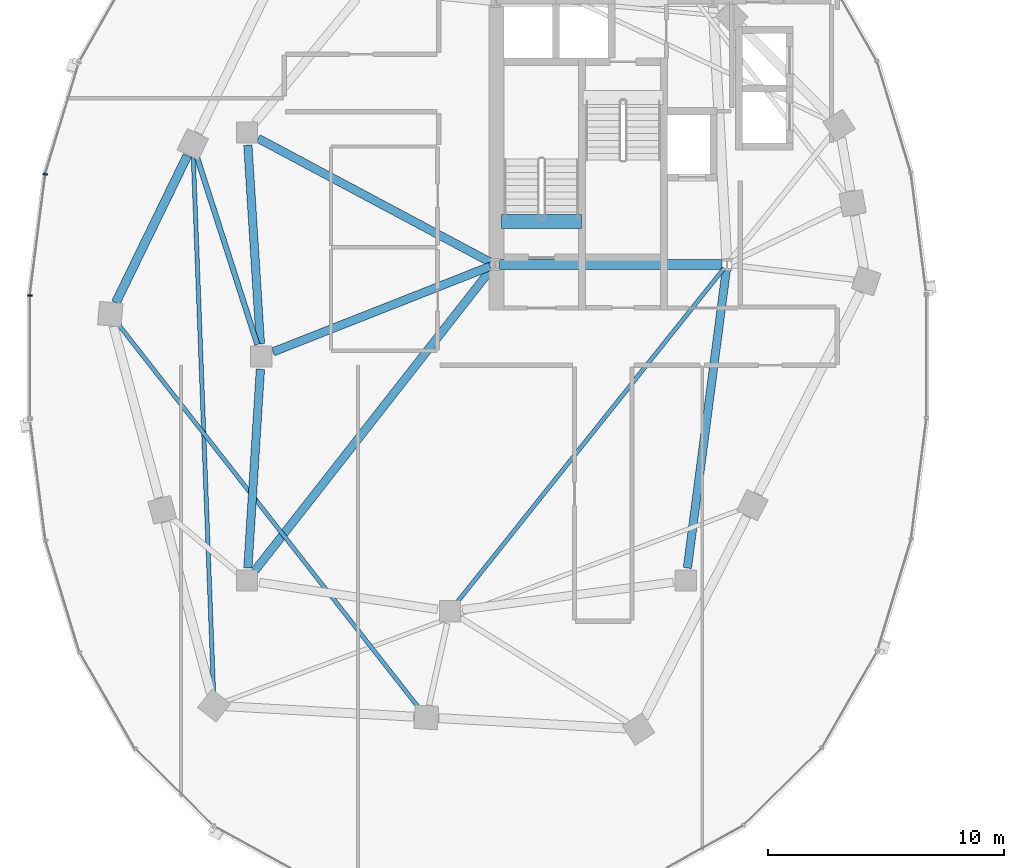
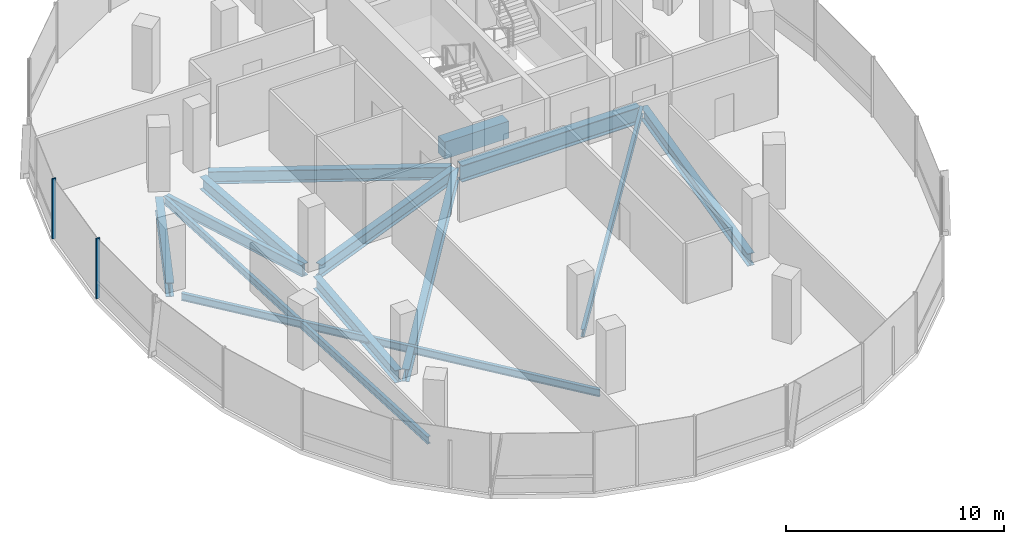
# One storey, part 3 of 22: 13 beams, 2 members, 1 element without a shape of its own.
"""IFC4 building model written with IfcOpenShell, lengths in metres."""

from ifc_helpers import new_model, si_unit, direction, frame, origin, origin_2d, place, context, subcontext, project, spatial, rectangle, i_section, extrude, material, material_profile, profile_set, type_object, element, aggregate, save


model = new_model("IFC4")

# Units and contexts
model_context = context("Model", 3, precision=1e-05, world=origin(), true_north=direction((0.0, 1.0)))
body_context = subcontext(model_context, "Body", "Model", "MODEL_VIEW")
ifc_project = project(units=[si_unit("LENGTHUNIT", "METRE"), si_unit("AREAUNIT", "SQUARE_METRE"), si_unit("VOLUMEUNIT", "CUBIC_METRE"), si_unit("PLANEANGLEUNIT", "RADIAN"), si_unit("MASSUNIT", "GRAM", prefix="KILO"), si_unit("THERMODYNAMICTEMPERATUREUNIT", "KELVIN"), si_unit("POWERUNIT", "WATT")], contexts=[model_context])

# Site, building, storey
site_placement = place(None, origin())
site = spatial("IfcSite", under=ifc_project, at=site_placement, CompositionType="ELEMENT")
building_placement = place(site_placement, origin())
building = spatial("IfcBuilding", under=site, at=building_placement, Name="Cundina Bronze Exchange", CompositionType="ELEMENT")
storey_placement = place(building_placement, frame((0.0, 0.0, 136.800048828125)))
storey = spatial("IfcBuildingStorey", under=building, at=storey_placement, Name="L35", CompositionType="ELEMENT", Elevation=136.800048828125)

# Beams
ifc_material_1 = material(Name="Concrete C60/75", Category="concrete")
ifc_material_profile_1 = material_profile(ifc_material_1, rectangle(XDim=0.60009765625, YDim=0.949951171875, at=origin_2d()), Name="RC600X950", Category="concrete")
ifc_profile_set_1 = profile_set([ifc_material_profile_1], Name="Concrete C60/75")
beam_type_1 = type_object("IfcBeamType", Name="BM-COUP-RC950", PredefinedType="LINTEL", material=ifc_profile_set_1)
beam_1_placement = place(storey_placement, frame((-31.02001953125, 5.719970703125, -0.47509765625), z_axis=(1.0, 0.0, 0.0), x_axis=(0.0, 1.0, 0.0)))
element("IfcBeam", 1, at=beam_1_placement, inside=storey, type_object=beam_type_1, Name="L35 Stair W1 Landing Header Beam", PredefinedType="LINTEL", context=body_context, shape_type="SweptSolid", body=[
    extrude(rectangle(XDim=0.60009765625, YDim=0.949951171875, at=origin_2d()), origin(), (0.0, 0.0, 1.0), 3.39990234375),
])
ifc_material_2 = material(Name="Steel ASTM A992 Grade 50", Category="steel")
ifc_material_profile_2 = material_profile(ifc_material_2, i_section(OverallWidth=0.22998046875, OverallDepth=0.616943359375, WebThickness=0.01318359375, FlangeThickness=0.022216796875, FilletRadius=0.013916015625, at=origin_2d()), Name="W24X94", Category="steel")
ifc_profile_set_2 = profile_set([ifc_material_profile_2], Name="Steel ASTM A992 Grade 50")
beam_type_2 = type_object("IfcBeamType", Name="BM-FLR-W24B", PredefinedType="BEAM", material=ifc_profile_set_2)
beam_2_placement = place(storey_placement, frame((-41.364990234375, 0.51220703125, -0.548583984375), z_axis=(-0.306710777581, 0.951802762612, 0.0), x_axis=(-0.951802762612, -0.306710777581, 0.0)))
element("IfcBeam", 2, at=beam_2_placement, inside=storey, type_object=beam_type_2, Name="L35 Leg W Radial Floor Beam 07", PredefinedType="BEAM", context=body_context, shape_type="SweptSolid", body=[
    extrude(i_section(OverallWidth=0.22998046875, OverallDepth=0.616943359375, WebThickness=0.01318359375, FlangeThickness=0.022216796875, FilletRadius=0.013916015625, at=origin_2d()), origin(), (0.0, 0.0, 1.0), 8.37939453125),
])
ifc_material_profile_3 = material_profile(ifc_material_2, i_section(OverallWidth=0.178955078125, OverallDepth=0.409912109375, WebThickness=0.0087890625, FlangeThickness=0.014404296875, FilletRadius=0.010986328125, at=origin_2d()), Name="W16X45", Category="steel")
ifc_profile_set_3 = profile_set([ifc_material_profile_3], Name="Steel ASTM A992 Grade 50")
beam_type_3 = type_object("IfcBeamType", Name="BM-JST-W16", PredefinedType="JOIST", material=ifc_profile_set_3)
beam_3_placement = place(storey_placement, frame((-21.577392578125, 3.740478515625, -0.445068359375), z_axis=(-0.62436887964, -0.781129632095, 0.0), x_axis=(0.781129632095, -0.62436887964, 0.0)))
element("IfcBeam", 3, at=beam_3_placement, inside=storey, type_object=beam_type_3, Name="L35 W Interior Core-to-Ring Joist 2", PredefinedType="JOIST", context=body_context, shape_type="SweptSolid", body=[
    extrude(i_section(OverallWidth=0.178955078125, OverallDepth=0.409912109375, WebThickness=0.0087890625, FlangeThickness=0.014404296875, FilletRadius=0.010986328125, at=origin_2d()), origin(), (0.0, 0.0, 1.0), 18.076904296875),
])
beam_4_placement = place(storey_placement, frame((-44.07958984375, 8.46240234375, -0.445068359375), z_axis=(0.03778951385, -0.999285721224, 0.0), x_axis=(0.999285721224, 0.03778951385, 0.0)))
element("IfcBeam", 4, at=beam_4_placement, inside=storey, type_object=beam_type_3, Name="L35 Leg W Lobe Floor Joist 07-10", PredefinedType="JOIST", context=body_context, shape_type="SweptSolid", body=[
    extrude(i_section(OverallWidth=0.178955078125, OverallDepth=0.409912109375, WebThickness=0.0087890625, FlangeThickness=0.014404296875, FilletRadius=0.010986328125, at=origin_2d()), origin(), (0.0, 0.0, 1.0), 22.7412109375),
])
beam_5_placement = place(storey_placement, frame((-47.268310546875, 1.37646484375, -0.445068359375), z_axis=(0.616815348306, -0.787107887201, 0.0), x_axis=(0.787107887201, 0.616815348306, 0.0)))
element("IfcBeam", 5, at=beam_5_placement, inside=storey, type_object=beam_type_3, Name="L35 Leg W Lobe Floor Joist 08-11", PredefinedType="JOIST", context=body_context, shape_type="SweptSolid", body=[
    extrude(i_section(OverallWidth=0.178955078125, OverallDepth=0.409912109375, WebThickness=0.0087890625, FlangeThickness=0.014404296875, FilletRadius=0.010986328125, at=origin_2d()), origin(), (0.0, 0.0, 1.0), 20.64892578125),
])
ifc_material_profile_4 = material_profile(ifc_material_2, i_section(OverallWidth=0.35498046875, OverallDepth=0.695068359375, WebThickness=0.015380859375, FlangeThickness=0.02490234375, FilletRadius=0.01806640625, at=origin_2d()), Name="W27X146", Category="steel")
ifc_profile_set_4 = profile_set([ifc_material_profile_4], Name="Steel ASTM A992 Grade 50")
beam_type_4 = type_object("IfcBeamType", Name="BM-RING-W27", PredefinedType="USERDEFINED", material=ifc_profile_set_4)
for number, where, z_axis, x_axis, name in (
    (6, (-41.76611328125, 8.963134765625, -0.587646484375), (0.06303715519, -0.998011180832, 0.0), (0.998011180832, 0.06303715519, 0.0), "L35 W Inner Structural Ring Girder 03"),
    (7, (-41.23388671875, -0.536865234375, -0.587646484375), (-0.06303715519, -0.998011180832, 0.0), (0.998011180832, -0.06303715519, 0.0), "L35 W Inner Structural Ring Girder 04"),
):
    element("IfcBeam", number, at=place(storey_placement, frame(where, z_axis=z_axis, x_axis=x_axis)), inside=storey, type_object=beam_type_4, Name=name, ObjectType="GIRDER", PredefinedType="USERDEFINED", context=body_context, shape_type="SweptSolid", body=[
        extrude(i_section(OverallWidth=0.35498046875, OverallDepth=0.695068359375, WebThickness=0.015380859375, FlangeThickness=0.02490234375, FilletRadius=0.01806640625, at=origin_2d()), origin(), (0.0, 0.0, 1.0), 8.443115234375),
    ])
beam_6_placement = place(storey_placement, frame((-23.13037109375, -8.966552734375, -0.587646484375), z_axis=(0.129507526533, 0.99157843894, 0.0), x_axis=(-0.99157843894, 0.129507526533, 0.0)))
element("IfcBeam", 8, at=beam_6_placement, inside=storey, type_object=beam_type_4, Name="L35 W Inner Structural Ring Girder 07", ObjectType="GIRDER", PredefinedType="USERDEFINED", context=body_context, shape_type="SweptSolid", body=[
    extrude(i_section(OverallWidth=0.35498046875, OverallDepth=0.695068359375, WebThickness=0.015380859375, FlangeThickness=0.02490234375, FilletRadius=0.01806640625, at=origin_2d()), origin(), (0.0, 0.0, 1.0), 12.77197265625),
])
beam_7_placement = place(storey_placement, frame((-31.48974609375, 3.8251953125, -0.587646484375), z_axis=(-0.930413235418, -0.366512225388, 0.0), x_axis=(0.366512225388, -0.930413235418, 0.0)))
element("IfcBeam", 9, at=beam_7_placement, inside=storey, type_object=beam_type_4, Name="L35 W Core-to-Waist Tie Beam 1", ObjectType="GIRDER", PredefinedType="USERDEFINED", context=body_context, shape_type="SweptSolid", body=[
    extrude(i_section(OverallWidth=0.35498046875, OverallDepth=0.695068359375, WebThickness=0.015380859375, FlangeThickness=0.02490234375, FilletRadius=0.01806640625, at=origin_2d()), origin(), (0.0, 0.0, 1.0), 9.8984375),
])
beam_8_placement = place(storey_placement, frame((-31.47998046875, 3.99609375, -0.587646484375), z_axis=(-0.882354758239, 0.470584828286, 0.0), x_axis=(-0.470584828286, -0.882354758239, 0.0)))
element("IfcBeam", 10, at=beam_8_placement, inside=storey, type_object=beam_type_4, Name="L35 W Core-to-Waist Tie Beam 2", ObjectType="GIRDER", PredefinedType="USERDEFINED", context=body_context, shape_type="SweptSolid", body=[
    extrude(i_section(OverallWidth=0.35498046875, OverallDepth=0.695068359375, WebThickness=0.015380859375, FlangeThickness=0.02490234375, FilletRadius=0.01806640625, at=origin_2d()), origin(), (0.0, 0.0, 1.0), 11.157958984375),
])
beam_9_placement = place(storey_placement, frame((-31.42578125, 3.739501953125, -0.587646484375), z_axis=(-0.616789275748, -0.787128318206, 0.0), x_axis=(0.787128318206, -0.616789275748, 0.0)))
element("IfcBeam", 11, at=beam_9_placement, inside=storey, type_object=beam_type_4, Name="L35 W Core-to-Waist Tie Beam 3", ObjectType="GIRDER", PredefinedType="USERDEFINED", context=body_context, shape_type="SweptSolid", body=[
    extrude(i_section(OverallWidth=0.35498046875, OverallDepth=0.695068359375, WebThickness=0.015380859375, FlangeThickness=0.02490234375, FilletRadius=0.01806640625, at=origin_2d()), origin(), (0.0, 0.0, 1.0), 16.281982421875),
])
ifc_material_profile_5 = material_profile(ifc_material_2, i_section(OverallWidth=0.381103515625, OverallDepth=0.77294921875, WebThickness=0.0166015625, FlangeThickness=0.027099609375, FilletRadius=0.01904296875, at=origin_2d()), Name="W30X173", Category="steel")
ifc_profile_set_5 = profile_set([ifc_material_profile_5], Name="Steel ASTM A992 Grade 50")
beam_type_5 = type_object("IfcBeamType", Name="BM-RING-W30", PredefinedType="USERDEFINED", material=ifc_profile_set_5)
beam_10_placement = place(storey_placement, frame((-44.335205078125, 8.51611328125, -0.62646484375), z_axis=(-0.437193894283, -0.899367276924, 0.0), x_axis=(0.899367276924, -0.437193894283, 0.0)))
element("IfcBeam", 12, at=beam_10_placement, inside=storey, type_object=beam_type_5, Name="L35 W Perimeter Ring Girder 07", ObjectType="GIRDER", PredefinedType="USERDEFINED", context=body_context, shape_type="SweptSolid", body=[
    extrude(i_section(OverallWidth=0.381103515625, OverallDepth=0.77294921875, WebThickness=0.0166015625, FlangeThickness=0.027099609375, FilletRadius=0.01904296875, at=origin_2d()), origin(), (0.0, 0.0, 1.0), 6.929443359375),
])
ifc_material_profile_6 = material_profile(ifc_material_2, i_section(OverallWidth=0.41796875, OverallDepth=0.927001953125, WebThickness=0.019287109375, FlangeThickness=0.031982421875, FilletRadius=0.02392578125, at=origin_2d()), Name="W36X231", Category="steel")
ifc_profile_set_6 = profile_set([ifc_material_profile_6], Name="Steel ASTM A992 Grade 50")
beam_type_6 = type_object("IfcBeamType", Name="BM-WRN-W36B", PredefinedType="USERDEFINED", material=ifc_profile_set_6)
beam_11_placement = place(storey_placement, frame((-31.095947265625, 3.89990234375, -0.70361328125), z_axis=(1.0, 0.0, 0.0), x_axis=(0.0, 1.0, 0.0)))
element("IfcBeam", 13, at=beam_11_placement, inside=storey, type_object=beam_type_6, Name="L35 W Core Perimeter Tie Girder 1", ObjectType="GIRDER", PredefinedType="USERDEFINED", context=body_context, shape_type="SweptSolid", body=[
    extrude(i_section(OverallWidth=0.41796875, OverallDepth=0.927001953125, WebThickness=0.019287109375, FlangeThickness=0.031982421875, FilletRadius=0.02392578125, at=origin_2d()), origin(), (0.0, 0.0, 1.0), 9.44189453125),
])

# Curtain wall, members
ifc_material_3 = material(Name="Anodised Bronze Aluminium 6063-T6", Category="aluminium")
curtain_wall_type = type_object("IfcCurtainWallType", Name="CWS-WST-PIN", PredefinedType="NOTDEFINED", material=ifc_material_3)
curtain_wall_placement = place(storey_placement, origin())
curtain_wall = element("IfcCurtainWall", 14, at=curtain_wall_placement, inside=storey, type_object=curtain_wall_type, Name="L35 CW-04 Curtain Wall Run CWR-L35-W2", PredefinedType="NOTDEFINED")
ifc_material_profile_7 = material_profile(ifc_material_3, rectangle(XDim=0.070068359375, YDim=0.18994140625, at=origin_2d()), Name="AL70X190", Category="aluminium")
ifc_profile_set_7 = profile_set([ifc_material_profile_7], Name="Anodised Bronze Aluminium 6063-T6")
member_type = type_object("IfcMemberType", Name="CWM-MUL-190", PredefinedType="MULLION", material=ifc_profile_set_7)
member_1_placement = place(storey_placement, frame((-50.357177734375, 7.731689453125, 0.0), z_axis=(0.0, 0.0, 1.0), x_axis=(-0.126545236492, -0.991960837494, 0.0)))
member_1 = element("IfcMember", 15, at=member_1_placement, type_object=member_type, Name="CW-04 Mullion 6", PredefinedType="MULLION", context=body_context, shape_type="SweptSolid", body=[
    extrude(rectangle(XDim=0.070068359375, YDim=0.18994140625, at=origin_2d()), origin(), (0.0, 0.0, 1.0), 3.35986328125),
])
member_2_placement = place(storey_placement, frame((-51.007080078125, 2.593017578125, 0.0), z_axis=(0.0, 0.0, 1.0), x_axis=(0.0, -1.0, 0.0)))
member_2 = element("IfcMember", 16, at=member_2_placement, type_object=member_type, Name="CW-04 Mullion 7", PredefinedType="MULLION", context=body_context, shape_type="SweptSolid", body=[
    extrude(rectangle(XDim=0.070068359375, YDim=0.18994140625, at=origin_2d()), origin(), (0.0, 0.0, 1.0), 3.35986328125),
])
aggregate(curtain_wall, [member_1, member_2])

save(model, "model.ifc")
